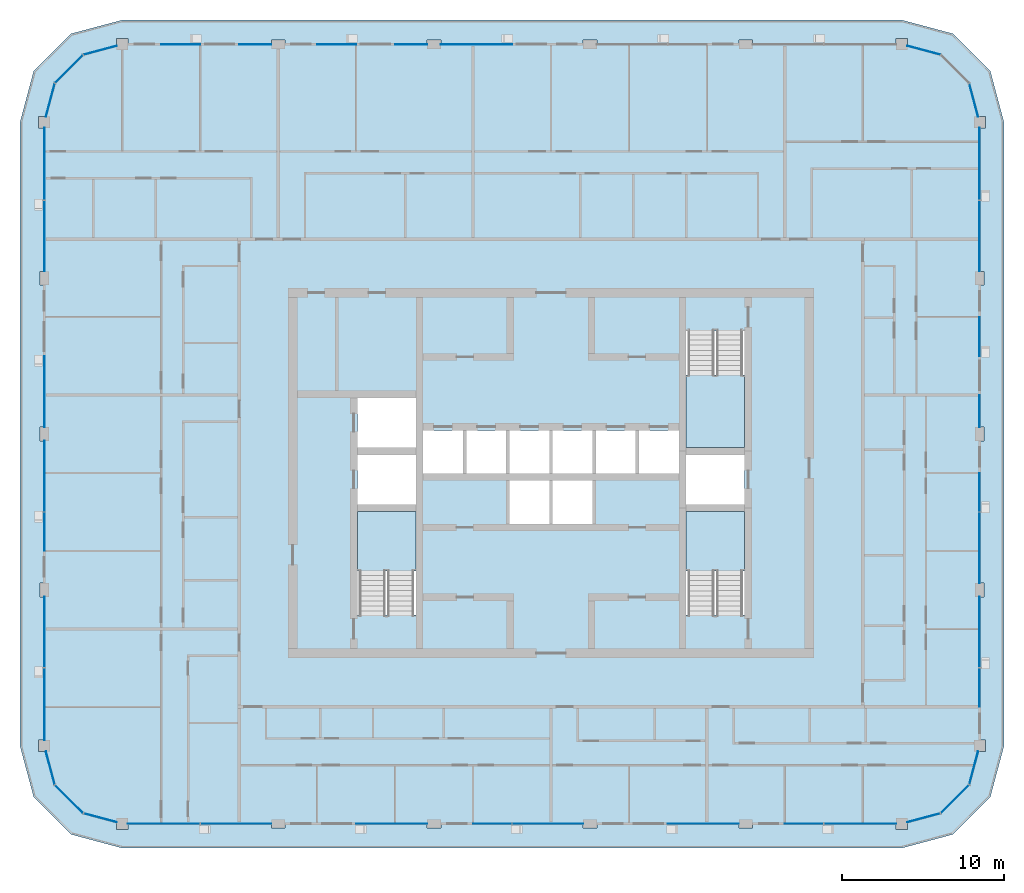
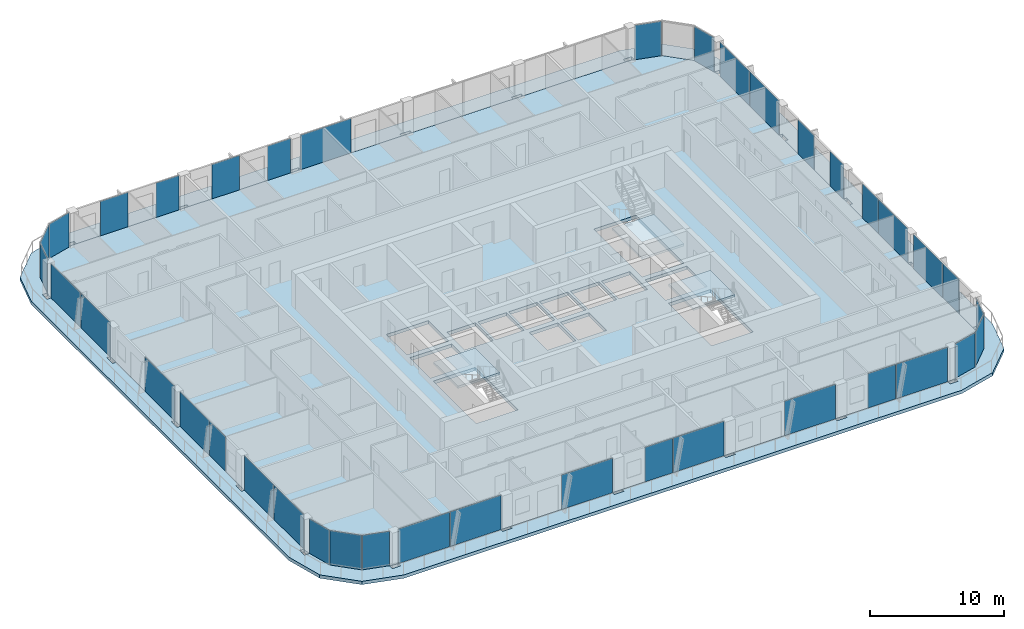
# One storey, part 7 of 21: 39 plates, 5 slabs, 23 elements without a shape of their own.
"""IFC4 building model written with IfcOpenShell, lengths in metres."""

from ifc_helpers import new_model, si_unit, direction, frame, origin, origin_2d, place, context, subcontext, project, spatial, polyline, rectangle, outline, extrude, material, layer, layer_set, type_object, element, aggregate, save


model = new_model("IFC4")

# Units and contexts
model_context = context("Model", 3, precision=1e-05, world=origin(), true_north=direction((0.0, 1.0)))
body_context = subcontext(model_context, "Body", "Model", "MODEL_VIEW")
ifc_project = project(units=[si_unit("LENGTHUNIT", "METRE"), si_unit("AREAUNIT", "SQUARE_METRE"), si_unit("VOLUMEUNIT", "CUBIC_METRE"), si_unit("PLANEANGLEUNIT", "RADIAN"), si_unit("MASSUNIT", "GRAM", prefix="KILO")], contexts=[model_context])

# Site, building, storey
site_placement = place(None, origin())
site = spatial("IfcSite", under=ifc_project, at=site_placement, CompositionType="ELEMENT")
building_placement = place(site_placement, origin())
building = spatial("IfcBuilding", under=site, at=building_placement, Name="Madar Terraces", CompositionType="ELEMENT")
storey_placement = place(building_placement, frame((0.0, 0.0, 242.199951171875)))
storey = spatial("IfcBuildingStorey", under=building, at=storey_placement, Name="L63", CompositionType="ELEMENT", Elevation=242.199951171875)

# Slabs
ifc_material_1 = material(Name="Concrete C50/60", Category="concrete")
ifc_layer_1 = layer(ifc_material_1, 0.300048828125)
ifc_layer_set_1 = layer_set([ifc_layer_1], Name="Balcony band 300")
slab_type_1 = type_object("IfcSlabType", Name="Balcony band 300", PredefinedType="FLOOR", material=ifc_layer_set_1)
slab_1_placement = place(storey_placement, frame((0.0, 0.0, -0.300048828125)))
element("IfcSlab", 1, at=slab_1_placement, inside=storey, type_object=slab_type_1, Name="Balcony band", PredefinedType="FLOOR", context=body_context, shape_type="SweptSolid", body=[
    extrude(outline(polyline([(4.800048828125, 3.300048828125), (1.64990234375, 4.14404296875), (-0.656005859375, 6.449951171875), (-1.5, 9.60009765625), (-1.5, 48.0), (-0.656005859375, 51.14990234375), (1.64990234375, 53.4560546875), (4.800048828125, 54.300048828125), (52.800048828125, 54.300048828125), (55.949951171875, 53.4560546875), (58.256103515625, 51.14990234375), (59.10009765625, 48.0), (59.10009765625, 9.60009765625), (58.256103515625, 6.449951171875), (55.949951171875, 4.14404296875), (52.800048828125, 3.300048828125), (4.800048828125, 3.300048828125)]), holes=[polyline([(5.14990234375, 4.449951171875), (5.14990234375, 4.800048828125), (13.97509765625, 4.800048828125), (13.97509765625, 4.52490234375), (14.824951171875, 4.52490234375), (14.824951171875, 4.800048828125), (23.574951171875, 4.800048828125), (23.574951171875, 4.52490234375), (24.425048828125, 4.52490234375), (24.425048828125, 4.800048828125), (33.175048828125, 4.800048828125), (33.175048828125, 4.52490234375), (34.02490234375, 4.52490234375), (34.02490234375, 4.800048828125), (42.77490234375, 4.800048828125), (42.77490234375, 4.52490234375), (43.625, 4.52490234375), (43.625, 4.800048828125), (52.449951171875, 4.800048828125), (52.449951171875, 4.449951171875), (53.14990234375, 4.449951171875), (53.14990234375, 4.893798828125), (55.199951171875, 5.443115234375), (56.956787109375, 7.199951171875), (57.506103515625, 9.25), (57.949951171875, 9.25), (57.949951171875, 9.949951171875), (57.60009765625, 9.949951171875), (57.60009765625, 18.77490234375), (57.875, 18.77490234375), (57.875, 19.625), (57.60009765625, 19.625), (57.60009765625, 28.375), (57.875, 28.375), (57.875, 29.22509765625), (57.60009765625, 29.22509765625), (57.60009765625, 37.97509765625), (57.875, 37.97509765625), (57.875, 38.824951171875), (57.60009765625, 38.824951171875), (57.60009765625, 47.64990234375), (57.949951171875, 47.64990234375), (57.949951171875, 48.35009765625), (57.506103515625, 48.35009765625), (56.956787109375, 50.39990234375), (55.199951171875, 52.156982421875), (53.14990234375, 52.706298828125), (53.14990234375, 53.14990234375), (52.449951171875, 53.14990234375), (52.449951171875, 52.800048828125), (43.625, 52.800048828125), (43.625, 53.074951171875), (42.77490234375, 53.074951171875), (42.77490234375, 52.800048828125), (34.02490234375, 52.800048828125), (34.02490234375, 53.074951171875), (33.175048828125, 53.074951171875), (33.175048828125, 52.800048828125), (24.425048828125, 52.800048828125), (24.425048828125, 53.074951171875), (23.574951171875, 53.074951171875), (23.574951171875, 52.800048828125), (14.824951171875, 52.800048828125), (14.824951171875, 53.074951171875), (13.97509765625, 53.074951171875), (13.97509765625, 52.800048828125), (5.14990234375, 52.800048828125), (5.14990234375, 53.14990234375), (4.449951171875, 53.14990234375), (4.449951171875, 52.706298828125), (2.39990234375, 52.156982421875), (0.64306640625, 50.39990234375), (0.09375, 48.35009765625), (-0.35009765625, 48.35009765625), (-0.35009765625, 47.64990234375), (0.0, 47.64990234375), (0.0, 38.824951171875), (-0.27490234375, 38.824951171875), (-0.27490234375, 37.97509765625), (0.0, 37.97509765625), (0.0, 29.22509765625), (-0.27490234375, 29.22509765625), (-0.27490234375, 28.375), (0.0, 28.375), (0.0, 19.625), (-0.27490234375, 19.625), (-0.27490234375, 18.77490234375), (0.0, 18.77490234375), (0.0, 9.949951171875), (-0.35009765625, 9.949951171875), (-0.35009765625, 9.25), (0.09375, 9.25), (0.64306640625, 7.199951171875), (2.39990234375, 5.443115234375), (4.449951171875, 4.893798828125), (4.449951171875, 4.449951171875), (5.14990234375, 4.449951171875)])]), origin(), (0.0, 0.0, 1.0), 0.300048828125),
])
ifc_material_2 = material(Name="Concrete C50/60", Category="concrete")
ifc_layer_2 = layer(ifc_material_2, 0.300048828125)
ifc_layer_set_2 = layer_set([ifc_layer_2], Name="FS2 PT flat slab 300")
slab_type_2 = type_object("IfcSlabType", Name="FS2 PT flat slab 300", PredefinedType="FLOOR", material=ifc_layer_set_2)
slab_2_placement = place(storey_placement, frame((0.0, 0.0, -0.300048828125)))
element("IfcSlab", 2, at=slab_2_placement, inside=storey, type_object=slab_type_2, Name="Floor slab L63 (1)", PredefinedType="FLOOR", context=body_context, shape_type="SweptSolid", body=[
    extrude(outline(polyline([(52.800048828125, 4.800048828125), (55.199951171875, 5.443115234375), (56.95703125, 7.199951171875), (57.60009765625, 9.60009765625), (57.60009765625, 48.0), (56.95703125, 50.39990234375), (55.199951171875, 52.156982421875), (52.800048828125, 52.800048828125), (4.800048828125, 52.800048828125), (2.39990234375, 52.156982421875), (0.64306640625, 50.39990234375), (0.0, 48.0), (0.0, 9.60009765625), (0.64306640625, 7.199951171875), (2.39990234375, 5.443115234375), (4.800048828125, 4.800048828125), (52.800048828125, 4.800048828125)]), holes=[polyline([(22.875, 17.64990234375), (19.27490234375, 17.64990234375), (19.27490234375, 24.02490234375), (22.875, 24.02490234375), (22.875, 17.64990234375)]), polyline([(28.6416015625, 23.27490234375), (28.6416015625, 25.925048828125), (31.10009765625, 25.925048828125), (31.10009765625, 23.27490234375), (28.6416015625, 23.27490234375)]), polyline([(19.27490234375, 24.47509765625), (19.27490234375, 27.52490234375), (22.875, 27.52490234375), (22.875, 24.47509765625), (19.27490234375, 24.47509765625)]), polyline([(23.324951171875, 26.375), (23.324951171875, 29.02490234375), (25.783447265625, 29.02490234375), (25.783447265625, 26.375), (23.324951171875, 26.375)]), polyline([(25.9833984375, 26.375), (25.9833984375, 29.02490234375), (28.441650390625, 29.02490234375), (28.441650390625, 26.375), (25.9833984375, 26.375)]), polyline([(28.6416015625, 26.375), (28.6416015625, 29.02490234375), (31.10009765625, 29.02490234375), (31.10009765625, 26.375), (28.6416015625, 26.375)]), polyline([(19.27490234375, 27.97509765625), (19.27490234375, 31.02490234375), (22.875, 31.02490234375), (22.875, 27.97509765625), (19.27490234375, 27.97509765625)]), polyline([(43.125, 17.64990234375), (39.52490234375, 17.64990234375), (39.52490234375, 24.02490234375), (43.125, 24.02490234375), (43.125, 17.64990234375)]), polyline([(31.300048828125, 23.27490234375), (31.300048828125, 25.925048828125), (33.75830078125, 25.925048828125), (33.75830078125, 23.27490234375), (31.300048828125, 23.27490234375)]), polyline([(39.52490234375, 24.47509765625), (39.52490234375, 27.52490234375), (43.125, 27.52490234375), (43.125, 24.47509765625), (39.52490234375, 24.47509765625)]), polyline([(31.300048828125, 26.375), (31.300048828125, 29.02490234375), (33.75830078125, 29.02490234375), (33.75830078125, 26.375), (31.300048828125, 26.375)]), polyline([(33.958251953125, 26.375), (33.958251953125, 29.02490234375), (36.416748046875, 29.02490234375), (36.416748046875, 26.375), (33.958251953125, 26.375)]), polyline([(36.61669921875, 26.375), (36.61669921875, 29.02490234375), (39.074951171875, 29.02490234375), (39.074951171875, 26.375), (36.61669921875, 26.375)]), polyline([(39.52490234375, 27.97509765625), (39.52490234375, 35.14990234375), (43.125, 35.14990234375), (43.125, 27.97509765625), (39.52490234375, 27.97509765625)])]), origin(), (0.0, 0.0, 1.0), 0.300048828125),
])

# Curtain wall, plates
ifc_material_3 = material(Name="Glass, ceramic frit dark grey, with black aluminium frame", Category="aluminium")
ifc_layer_3 = layer(ifc_material_3, 0.199951171875)
ifc_layer_set_3 = layer_set([ifc_layer_3], Name="Facade curtain wall, fritted glass")
curtain_wall_type = type_object("IfcCurtainWallType", Name="Facade curtain wall, fritted glass", PredefinedType="NOTDEFINED", material=ifc_layer_set_3)
curtain_wall_1_placement = place(storey_placement, origin())
curtain_wall_1 = element("IfcCurtainWall", 3, at=curtain_wall_1_placement, inside=storey, type_object=curtain_wall_type, Name="Outer skin curtain wall south bay 1", PredefinedType="NOTDEFINED")
ifc_material_4 = material(Name="Glass, ceramic frit dark grey", Category="glass")
ifc_layer_4 = layer(ifc_material_4, 0.028076171875)
ifc_layer_set_4 = layer_set([ifc_layer_4], Name="Facade glass panel 28")
plate_type = type_object("IfcPlateType", Name="Facade glass panel 28", PredefinedType="CURTAIN_PANEL", material=ifc_layer_set_4)
plate_1_placement = place(storey_placement, frame((7.360107421875, 4.800048828125, 0.0), z_axis=(0.0, 0.0, 1.0), x_axis=(1.0, 0.0, 0.0)))
plate_1 = element("IfcPlate", 4, at=plate_1_placement, type_object=plate_type, Name="Panel 1", PredefinedType="CURTAIN_PANEL", context=body_context, shape_type="SweptSolid", body=[
    extrude(rectangle(XDim=4.419921875, YDim=0.028076171875, at=origin_2d()), origin(), (0.0, 0.0, 1.0), 3.139892578125),
])
plate_2_placement = place(storey_placement, frame((11.802490234375, 4.800048828125, 0.0), z_axis=(0.0, 0.0, 1.0), x_axis=(1.0, 0.0, 0.0)))
plate_2 = element("IfcPlate", 5, at=plate_2_placement, type_object=plate_type, Name="Panel 2", PredefinedType="CURTAIN_PANEL", context=body_context, shape_type="SweptSolid", body=[
    extrude(rectangle(XDim=4.344970703125, YDim=0.028076171875, at=origin_2d()), origin(), (0.0, 0.0, 1.0), 3.139892578125),
])
aggregate(curtain_wall_1, [plate_1, plate_2])

# Curtain wall, plate
curtain_wall_2_placement = place(storey_placement, origin())
curtain_wall_2 = element("IfcCurtainWall", 6, at=curtain_wall_2_placement, inside=storey, type_object=curtain_wall_type, Name="Outer skin curtain wall south bay 2", PredefinedType="NOTDEFINED")
plate_3_placement = place(storey_placement, frame((21.387451171875, 4.800048828125, 0.0), z_axis=(0.0, 0.0, 1.0), x_axis=(1.0, 0.0, 0.0)))
plate_3 = element("IfcPlate", 7, at=plate_3_placement, type_object=plate_type, Name="Panel 1", PredefinedType="CURTAIN_PANEL", context=body_context, shape_type="SweptSolid", body=[
    extrude(rectangle(XDim=4.375, YDim=0.028076171875, at=origin_2d()), origin(), (0.0, 0.0, 1.0), 3.139892578125),
])
aggregate(curtain_wall_2, [plate_3])

# Curtain wall, plates
curtain_wall_3_placement = place(storey_placement, origin())
curtain_wall_3 = element("IfcCurtainWall", 8, at=curtain_wall_3_placement, inside=storey, type_object=curtain_wall_type, Name="Outer skin curtain wall south bay 3", PredefinedType="NOTDEFINED")
plate_4_placement = place(storey_placement, frame((27.5849609375, 4.800048828125, 0.0), z_axis=(0.0, 0.0, 1.0), x_axis=(1.0, 0.0, 0.0)))
plate_4 = element("IfcPlate", 9, at=plate_4_placement, type_object=plate_type, Name="Panel 1", PredefinedType="CURTAIN_PANEL", context=body_context, shape_type="SweptSolid", body=[
    extrude(rectangle(XDim=2.3701171875, YDim=0.028076171875, at=origin_2d()), origin(), (0.0, 0.0, 1.0), 3.139892578125),
])
plate_5_placement = place(storey_placement, frame((31.00244140625, 4.800048828125, 0.0), z_axis=(0.0, 0.0, 1.0), x_axis=(1.0, 0.0, 0.0)))
plate_5 = element("IfcPlate", 10, at=plate_5_placement, type_object=plate_type, Name="Panel 2", PredefinedType="CURTAIN_PANEL", context=body_context, shape_type="SweptSolid", body=[
    extrude(rectangle(XDim=4.344970703125, YDim=0.028076171875, at=origin_2d()), origin(), (0.0, 0.0, 1.0), 3.139892578125),
])
aggregate(curtain_wall_3, [plate_4, plate_5])

# Curtain wall, plate
curtain_wall_4_placement = place(storey_placement, origin())
curtain_wall_4 = element("IfcCurtainWall", 11, at=curtain_wall_4_placement, inside=storey, type_object=curtain_wall_type, Name="Outer skin curtain wall south bay 4", PredefinedType="NOTDEFINED")
plate_6_placement = place(storey_placement, frame((40.58740234375, 4.800048828125, 0.0), z_axis=(0.0, 0.0, 1.0), x_axis=(1.0, 0.0, 0.0)))
plate_6 = element("IfcPlate", 12, at=plate_6_placement, type_object=plate_type, Name="Panel 1", PredefinedType="CURTAIN_PANEL", context=body_context, shape_type="SweptSolid", body=[
    extrude(rectangle(XDim=4.375, YDim=0.028076171875, at=origin_2d()), origin(), (0.0, 0.0, 1.0), 3.139892578125),
])
aggregate(curtain_wall_4, [plate_6])

# Curtain wall, plates
curtain_wall_5_placement = place(storey_placement, origin())
curtain_wall_5 = element("IfcCurtainWall", 13, at=curtain_wall_5_placement, inside=storey, type_object=curtain_wall_type, Name="Outer skin curtain wall south bay 5", PredefinedType="NOTDEFINED")
plate_7_placement = place(storey_placement, frame((46.784912109375, 4.800048828125, 0.0), z_axis=(0.0, 0.0, 1.0), x_axis=(1.0, 0.0, 0.0)))
plate_7 = element("IfcPlate", 14, at=plate_7_placement, type_object=plate_type, Name="Panel 1", PredefinedType="CURTAIN_PANEL", context=body_context, shape_type="SweptSolid", body=[
    extrude(rectangle(XDim=2.3701171875, YDim=0.028076171875, at=origin_2d()), origin(), (0.0, 0.0, 1.0), 3.139892578125),
])
plate_8_placement = place(storey_placement, frame((50.239990234375, 4.800048828125, 0.0), z_axis=(0.0, 0.0, 1.0), x_axis=(1.0, 0.0, 0.0)))
plate_8 = element("IfcPlate", 15, at=plate_8_placement, type_object=plate_type, Name="Panel 2", PredefinedType="CURTAIN_PANEL", context=body_context, shape_type="SweptSolid", body=[
    extrude(rectangle(XDim=4.419921875, YDim=0.028076171875, at=origin_2d()), origin(), (0.0, 0.0, 1.0), 3.139892578125),
])
aggregate(curtain_wall_5, [plate_7, plate_8])

curtain_wall_6_placement = place(storey_placement, origin())
curtain_wall_6 = element("IfcCurtainWall", 16, at=curtain_wall_6_placement, inside=storey, type_object=curtain_wall_type, Name="Outer skin curtain wall east bay 1", PredefinedType="NOTDEFINED")
plate_9_placement = place(storey_placement, frame((57.60009765625, 13.18505859375, 0.0), z_axis=(0.0, 0.0, 1.0), x_axis=(0.0, 1.0, 0.0)))
plate_9 = element("IfcPlate", 17, at=plate_9_placement, type_object=plate_type, Name="Panel 1", PredefinedType="CURTAIN_PANEL", context=body_context, shape_type="SweptSolid", body=[
    extrude(rectangle(XDim=2.3701171875, YDim=0.028076171875, at=origin_2d()), origin(), (0.0, 0.0, 1.0), 3.139892578125),
])
plate_10_placement = place(storey_placement, frame((57.60009765625, 16.6025390625, 0.0), z_axis=(0.0, 0.0, 1.0), x_axis=(0.0, 1.0, 0.0)))
plate_10 = element("IfcPlate", 18, at=plate_10_placement, type_object=plate_type, Name="Panel 2", PredefinedType="CURTAIN_PANEL", context=body_context, shape_type="SweptSolid", body=[
    extrude(rectangle(XDim=4.344970703125, YDim=0.028076171875, at=origin_2d()), origin(), (0.0, 0.0, 1.0), 3.139892578125),
])
aggregate(curtain_wall_6, [plate_9, plate_10])

curtain_wall_7_placement = place(storey_placement, origin())
curtain_wall_7 = element("IfcCurtainWall", 19, at=curtain_wall_7_placement, inside=storey, type_object=curtain_wall_type, Name="Outer skin curtain wall east bay 2", PredefinedType="NOTDEFINED")
plate_11_placement = place(storey_placement, frame((57.60009765625, 21.797607421875, 0.0), z_axis=(0.0, 0.0, 1.0), x_axis=(0.0, 1.0, 0.0)))
plate_11 = element("IfcPlate", 20, at=plate_11_placement, type_object=plate_type, Name="Panel 1", PredefinedType="CURTAIN_PANEL", context=body_context, shape_type="SweptSolid", body=[
    extrude(rectangle(XDim=4.344970703125, YDim=0.028076171875, at=origin_2d()), origin(), (0.0, 0.0, 1.0), 3.139892578125),
])
plate_12_placement = place(storey_placement, frame((57.60009765625, 25.215087890625, 0.0), z_axis=(0.0, 0.0, 1.0), x_axis=(0.0, 1.0, 0.0)))
plate_12 = element("IfcPlate", 21, at=plate_12_placement, type_object=plate_type, Name="Panel 2", PredefinedType="CURTAIN_PANEL", context=body_context, shape_type="SweptSolid", body=[
    extrude(rectangle(XDim=2.3701171875, YDim=0.028076171875, at=origin_2d()), origin(), (0.0, 0.0, 1.0), 3.139892578125),
])
aggregate(curtain_wall_7, [plate_11, plate_12])

curtain_wall_8_placement = place(storey_placement, origin())
curtain_wall_8 = element("IfcCurtainWall", 22, at=curtain_wall_8_placement, inside=storey, type_object=curtain_wall_type, Name="Outer skin curtain wall east bay 3", PredefinedType="NOTDEFINED")
plate_13_placement = place(storey_placement, frame((57.60009765625, 30.21240234375, 0.0), z_axis=(0.0, 0.0, 1.0), x_axis=(0.0, 1.0, 0.0)))
plate_13 = element("IfcPlate", 23, at=plate_13_placement, type_object=plate_type, Name="Panel 1", PredefinedType="CURTAIN_PANEL", context=body_context, shape_type="SweptSolid", body=[
    extrude(rectangle(XDim=1.97509765625, YDim=0.028076171875, at=origin_2d()), origin(), (0.0, 0.0, 1.0), 3.139892578125),
])
plate_14_placement = place(storey_placement, frame((57.60009765625, 34.800048828125, 0.0), z_axis=(0.0, 0.0, 1.0), x_axis=(0.0, 1.0, 0.0)))
plate_14 = element("IfcPlate", 24, at=plate_14_placement, type_object=plate_type, Name="Panel 2", PredefinedType="CURTAIN_PANEL", context=body_context, shape_type="SweptSolid", body=[
    extrude(rectangle(XDim=2.39990234375, YDim=0.028076171875, at=origin_2d()), origin(), (0.0, 0.0, 1.0), 3.139892578125),
])
aggregate(curtain_wall_8, [plate_13, plate_14])

curtain_wall_9_placement = place(storey_placement, origin())
curtain_wall_9 = element("IfcCurtainWall", 25, at=curtain_wall_9_placement, inside=storey, type_object=curtain_wall_type, Name="Outer skin curtain wall east bay 4", PredefinedType="NOTDEFINED")
plate_15_placement = place(storey_placement, frame((57.60009765625, 40.99755859375, 0.0), z_axis=(0.0, 0.0, 1.0), x_axis=(0.0, 1.0, 0.0)))
plate_15 = element("IfcPlate", 26, at=plate_15_placement, type_object=plate_type, Name="Panel 1", PredefinedType="CURTAIN_PANEL", context=body_context, shape_type="SweptSolid", body=[
    extrude(rectangle(XDim=4.344970703125, YDim=0.028076171875, at=origin_2d()), origin(), (0.0, 0.0, 1.0), 3.139892578125),
])
plate_16_placement = place(storey_placement, frame((57.60009765625, 45.43994140625, 0.0), z_axis=(0.0, 0.0, 1.0), x_axis=(0.0, 1.0, 0.0)))
plate_16 = element("IfcPlate", 27, at=plate_16_placement, type_object=plate_type, Name="Panel 2", PredefinedType="CURTAIN_PANEL", context=body_context, shape_type="SweptSolid", body=[
    extrude(rectangle(XDim=4.419921875, YDim=0.028076171875, at=origin_2d()), origin(), (0.0, 0.0, 1.0), 3.139892578125),
])
aggregate(curtain_wall_9, [plate_15, plate_16])

# Curtain wall, plate
curtain_wall_10_placement = place(storey_placement, origin())
curtain_wall_10 = element("IfcCurtainWall", 28, at=curtain_wall_10_placement, inside=storey, type_object=curtain_wall_type, Name="Outer skin curtain wall north bay 3", PredefinedType="NOTDEFINED")
plate_17_placement = place(storey_placement, frame((26.612548828125, 52.800048828125, 0.0), z_axis=(0.0, 0.0, 1.0), x_axis=(-1.0, 0.0, 0.0)))
plate_17 = element("IfcPlate", 29, at=plate_17_placement, type_object=plate_type, Name="Panel 1", PredefinedType="CURTAIN_PANEL", context=body_context, shape_type="SweptSolid", body=[
    extrude(rectangle(XDim=4.375, YDim=0.028076171875, at=origin_2d()), origin(), (0.0, 0.0, 1.0), 3.139892578125),
])
aggregate(curtain_wall_10, [plate_17])

# Curtain wall, plates
curtain_wall_11_placement = place(storey_placement, origin())
curtain_wall_11 = element("IfcCurtainWall", 30, at=curtain_wall_11_placement, inside=storey, type_object=curtain_wall_type, Name="Outer skin curtain wall north bay 4", PredefinedType="NOTDEFINED")
plate_18_placement = place(storey_placement, frame((22.58740234375, 52.800048828125, 0.0), z_axis=(0.0, 0.0, 1.0), x_axis=(-1.0, 0.0, 0.0)))
plate_18 = element("IfcPlate", 31, at=plate_18_placement, type_object=plate_type, Name="Panel 1", PredefinedType="CURTAIN_PANEL", context=body_context, shape_type="SweptSolid", body=[
    extrude(rectangle(XDim=1.97509765625, YDim=0.028076171875, at=origin_2d()), origin(), (0.0, 0.0, 1.0), 3.139892578125),
])
plate_19_placement = place(storey_placement, frame((18.0, 52.800048828125, 0.0), z_axis=(0.0, 0.0, 1.0), x_axis=(-1.0, 0.0, 0.0)))
plate_19 = element("IfcPlate", 32, at=plate_19_placement, type_object=plate_type, Name="Panel 2", PredefinedType="CURTAIN_PANEL", context=body_context, shape_type="SweptSolid", body=[
    extrude(rectangle(XDim=2.39990234375, YDim=0.028076171875, at=origin_2d()), origin(), (0.0, 0.0, 1.0), 3.139892578125),
])
aggregate(curtain_wall_11, [plate_18, plate_19])

curtain_wall_12_placement = place(storey_placement, origin())
curtain_wall_12 = element("IfcCurtainWall", 33, at=curtain_wall_12_placement, inside=storey, type_object=curtain_wall_type, Name="Outer skin curtain wall north bay 5", PredefinedType="NOTDEFINED")
plate_20_placement = place(storey_placement, frame((12.987548828125, 52.800048828125, 0.0), z_axis=(0.0, 0.0, 1.0), x_axis=(-1.0, 0.0, 0.0)))
plate_20 = element("IfcPlate", 34, at=plate_20_placement, type_object=plate_type, Name="Panel 1", PredefinedType="CURTAIN_PANEL", context=body_context, shape_type="SweptSolid", body=[
    extrude(rectangle(XDim=1.97509765625, YDim=0.028076171875, at=origin_2d()), origin(), (0.0, 0.0, 1.0), 3.139892578125),
])
plate_21_placement = place(storey_placement, frame((8.39990234375, 52.800048828125, 0.0), z_axis=(0.0, 0.0, 1.0), x_axis=(-1.0, 0.0, 0.0)))
plate_21 = element("IfcPlate", 35, at=plate_21_placement, type_object=plate_type, Name="Panel 2", PredefinedType="CURTAIN_PANEL", context=body_context, shape_type="SweptSolid", body=[
    extrude(rectangle(XDim=2.39990234375, YDim=0.028076171875, at=origin_2d()), origin(), (0.0, 0.0, 1.0), 3.139892578125),
])
aggregate(curtain_wall_12, [plate_20, plate_21])

curtain_wall_13_placement = place(storey_placement, origin())
curtain_wall_13 = element("IfcCurtainWall", 36, at=curtain_wall_13_placement, inside=storey, type_object=curtain_wall_type, Name="Outer skin curtain wall west bay 1", PredefinedType="NOTDEFINED")
plate_22_placement = place(storey_placement, frame((0.0, 45.43994140625, 0.0), z_axis=(0.0, 0.0, 1.0), x_axis=(0.0, -1.0, 0.0)))
plate_22 = element("IfcPlate", 37, at=plate_22_placement, type_object=plate_type, Name="Panel 1", PredefinedType="CURTAIN_PANEL", context=body_context, shape_type="SweptSolid", body=[
    extrude(rectangle(XDim=4.419921875, YDim=0.028076171875, at=origin_2d()), origin(), (0.0, 0.0, 1.0), 3.139892578125),
])
plate_23_placement = place(storey_placement, frame((0.0, 40.99755859375, 0.0), z_axis=(0.0, 0.0, 1.0), x_axis=(0.0, -1.0, 0.0)))
plate_23 = element("IfcPlate", 38, at=plate_23_placement, type_object=plate_type, Name="Panel 2", PredefinedType="CURTAIN_PANEL", context=body_context, shape_type="SweptSolid", body=[
    extrude(rectangle(XDim=4.344970703125, YDim=0.028076171875, at=origin_2d()), origin(), (0.0, 0.0, 1.0), 3.139892578125),
])
aggregate(curtain_wall_13, [plate_22, plate_23])

# Curtain wall, plate
curtain_wall_14_placement = place(storey_placement, origin())
curtain_wall_14 = element("IfcCurtainWall", 39, at=curtain_wall_14_placement, inside=storey, type_object=curtain_wall_type, Name="Outer skin curtain wall west bay 2", PredefinedType="NOTDEFINED")
plate_24_placement = place(storey_placement, frame((0.0, 31.41259765625, 0.0), z_axis=(0.0, 0.0, 1.0), x_axis=(0.0, -1.0, 0.0)))
plate_24 = element("IfcPlate", 40, at=plate_24_placement, type_object=plate_type, Name="Panel 1", PredefinedType="CURTAIN_PANEL", context=body_context, shape_type="SweptSolid", body=[
    extrude(rectangle(XDim=4.375, YDim=0.028076171875, at=origin_2d()), origin(), (0.0, 0.0, 1.0), 3.139892578125),
])
aggregate(curtain_wall_14, [plate_24])

# Curtain wall, plates
curtain_wall_15_placement = place(storey_placement, origin())
curtain_wall_15 = element("IfcCurtainWall", 41, at=curtain_wall_15_placement, inside=storey, type_object=curtain_wall_type, Name="Outer skin curtain wall west bay 3", PredefinedType="NOTDEFINED")
plate_25_placement = place(storey_placement, frame((0.0, 26.202392578125, 0.0), z_axis=(0.0, 0.0, 1.0), x_axis=(0.0, -1.0, 0.0)))
plate_25 = element("IfcPlate", 42, at=plate_25_placement, type_object=plate_type, Name="Panel 1", PredefinedType="CURTAIN_PANEL", context=body_context, shape_type="SweptSolid", body=[
    extrude(rectangle(XDim=4.344970703125, YDim=0.028076171875, at=origin_2d()), origin(), (0.0, 0.0, 1.0), 3.139892578125),
])
plate_26_placement = place(storey_placement, frame((0.0, 22.784912109375, 0.0), z_axis=(0.0, 0.0, 1.0), x_axis=(0.0, -1.0, 0.0)))
plate_26 = element("IfcPlate", 43, at=plate_26_placement, type_object=plate_type, Name="Panel 2", PredefinedType="CURTAIN_PANEL", context=body_context, shape_type="SweptSolid", body=[
    extrude(rectangle(XDim=2.3701171875, YDim=0.028076171875, at=origin_2d()), origin(), (0.0, 0.0, 1.0), 3.139892578125),
])
aggregate(curtain_wall_15, [plate_25, plate_26])

curtain_wall_16_placement = place(storey_placement, origin())
curtain_wall_16 = element("IfcCurtainWall", 44, at=curtain_wall_16_placement, inside=storey, type_object=curtain_wall_type, Name="Outer skin curtain wall west bay 4", PredefinedType="NOTDEFINED")
plate_27_placement = place(storey_placement, frame((0.0, 16.6025390625, 0.0), z_axis=(0.0, 0.0, 1.0), x_axis=(0.0, -1.0, 0.0)))
plate_27 = element("IfcPlate", 45, at=plate_27_placement, type_object=plate_type, Name="Panel 1", PredefinedType="CURTAIN_PANEL", context=body_context, shape_type="SweptSolid", body=[
    extrude(rectangle(XDim=4.344970703125, YDim=0.028076171875, at=origin_2d()), origin(), (0.0, 0.0, 1.0), 3.139892578125),
])
plate_28_placement = place(storey_placement, frame((0.0, 12.159912109375, 0.0), z_axis=(0.0, 0.0, 1.0), x_axis=(0.0, -1.0, 0.0)))
plate_28 = element("IfcPlate", 46, at=plate_28_placement, type_object=plate_type, Name="Panel 2", PredefinedType="CURTAIN_PANEL", context=body_context, shape_type="SweptSolid", body=[
    extrude(rectangle(XDim=4.419921875, YDim=0.028076171875, at=origin_2d()), origin(), (0.0, 0.0, 1.0), 3.139892578125),
])
aggregate(curtain_wall_16, [plate_27, plate_28])

curtain_wall_17_placement = place(storey_placement, origin())
curtain_wall_17 = element("IfcCurtainWall", 47, at=curtain_wall_17_placement, inside=storey, type_object=curtain_wall_type, Name="Outer skin curtain wall south-east corner", PredefinedType="NOTDEFINED")
plate_29_placement = place(storey_placement, frame((54.160400390625, 5.16455078125, 0.0), z_axis=(0.0, 0.0, 1.0), x_axis=(0.965925832509, 0.258819021888, 0.0)))
plate_29 = element("IfcPlate", 48, at=plate_29_placement, type_object=plate_type, Name="Panel 1", PredefinedType="CURTAIN_PANEL", context=body_context, shape_type="SweptSolid", body=[
    extrude(rectangle(XDim=2.09228515625, YDim=0.028076171875, at=origin_2d()), origin(), (0.0, 0.0, 1.0), 3.139892578125),
])
plate_30_placement = place(storey_placement, frame((56.078369140625, 6.321533203125, 0.0), z_axis=(0.0, 0.0, 1.0), x_axis=(0.707106781187, 0.707106781187, 0.0)))
plate_30 = element("IfcPlate", 49, at=plate_30_placement, type_object=plate_type, Name="Panel 2", PredefinedType="CURTAIN_PANEL", context=body_context, shape_type="SweptSolid", body=[
    extrude(rectangle(XDim=2.424560546875, YDim=0.028076171875, at=origin_2d()), origin(), (0.0, 0.0, 1.0), 3.139892578125),
])
plate_31_placement = place(storey_placement, frame((57.2353515625, 8.239501953125, 0.0), z_axis=(0.0, 0.0, 1.0), x_axis=(0.258819021888, 0.965925832509, 0.0)))
plate_31 = element("IfcPlate", 50, at=plate_31_placement, type_object=plate_type, Name="Panel 3", PredefinedType="CURTAIN_PANEL", context=body_context, shape_type="SweptSolid", body=[
    extrude(rectangle(XDim=2.09228515625, YDim=0.028076171875, at=origin_2d()), origin(), (0.0, 0.0, 1.0), 3.139892578125),
])
aggregate(curtain_wall_17, [plate_29, plate_30, plate_31])

curtain_wall_18_placement = place(storey_placement, origin())
curtain_wall_18 = element("IfcCurtainWall", 51, at=curtain_wall_18_placement, inside=storey, type_object=curtain_wall_type, Name="Outer skin curtain wall north-east corner", PredefinedType="NOTDEFINED")
plate_32_placement = place(storey_placement, frame((57.2353515625, 49.360595703125, 0.0), z_axis=(0.0, 0.0, 1.0), x_axis=(-0.258819021888, 0.965925832509, 0.0)))
plate_32 = element("IfcPlate", 52, at=plate_32_placement, type_object=plate_type, Name="Panel 1", PredefinedType="CURTAIN_PANEL", context=body_context, shape_type="SweptSolid", body=[
    extrude(rectangle(XDim=2.09228515625, YDim=0.028076171875, at=origin_2d()), origin(), (0.0, 0.0, 1.0), 3.139892578125),
])
plate_33_placement = place(storey_placement, frame((54.160400390625, 52.435546875, 0.0), z_axis=(0.0, 0.0, 1.0), x_axis=(-0.965925832509, 0.258819021888, 0.0)))
plate_33 = element("IfcPlate", 53, at=plate_33_placement, type_object=plate_type, Name="Panel 3", PredefinedType="CURTAIN_PANEL", context=body_context, shape_type="SweptSolid", body=[
    extrude(rectangle(XDim=2.09228515625, YDim=0.028076171875, at=origin_2d()), origin(), (0.0, 0.0, 1.0), 3.139892578125),
])
aggregate(curtain_wall_18, [plate_32, plate_33])

curtain_wall_19_placement = place(storey_placement, origin())
curtain_wall_19 = element("IfcCurtainWall", 54, at=curtain_wall_19_placement, inside=storey, type_object=curtain_wall_type, Name="Outer skin curtain wall north-west corner", PredefinedType="NOTDEFINED")
plate_34_placement = place(storey_placement, frame((3.439453125, 52.435546875, 0.0), z_axis=(0.0, 0.0, 1.0), x_axis=(-0.965925832509, -0.258819021888, 0.0)))
plate_34 = element("IfcPlate", 55, at=plate_34_placement, type_object=plate_type, Name="Panel 1", PredefinedType="CURTAIN_PANEL", context=body_context, shape_type="SweptSolid", body=[
    extrude(rectangle(XDim=2.09228515625, YDim=0.028076171875, at=origin_2d()), origin(), (0.0, 0.0, 1.0), 3.139892578125),
])
plate_35_placement = place(storey_placement, frame((1.521484375, 51.278564453125, 0.0), z_axis=(0.0, 0.0, 1.0), x_axis=(-0.707106781187, -0.707106781187, 0.0)))
plate_35 = element("IfcPlate", 56, at=plate_35_placement, type_object=plate_type, Name="Panel 2", PredefinedType="CURTAIN_PANEL", context=body_context, shape_type="SweptSolid", body=[
    extrude(rectangle(XDim=2.424560546875, YDim=0.028076171875, at=origin_2d()), origin(), (0.0, 0.0, 1.0), 3.139892578125),
])
plate_36_placement = place(storey_placement, frame((0.364501953125, 49.360595703125, 0.0), z_axis=(0.0, 0.0, 1.0), x_axis=(-0.258819021888, -0.965925832509, 0.0)))
plate_36 = element("IfcPlate", 57, at=plate_36_placement, type_object=plate_type, Name="Panel 3", PredefinedType="CURTAIN_PANEL", context=body_context, shape_type="SweptSolid", body=[
    extrude(rectangle(XDim=2.09228515625, YDim=0.028076171875, at=origin_2d()), origin(), (0.0, 0.0, 1.0), 3.139892578125),
])
aggregate(curtain_wall_19, [plate_34, plate_35, plate_36])

curtain_wall_20_placement = place(storey_placement, origin())
curtain_wall_20 = element("IfcCurtainWall", 58, at=curtain_wall_20_placement, inside=storey, type_object=curtain_wall_type, Name="Outer skin curtain wall south-west corner", PredefinedType="NOTDEFINED")
plate_37_placement = place(storey_placement, frame((0.364501953125, 8.239501953125, 0.0), z_axis=(0.0, 0.0, 1.0), x_axis=(0.258819021888, -0.965925832509, 0.0)))
plate_37 = element("IfcPlate", 59, at=plate_37_placement, type_object=plate_type, Name="Panel 1", PredefinedType="CURTAIN_PANEL", context=body_context, shape_type="SweptSolid", body=[
    extrude(rectangle(XDim=2.09228515625, YDim=0.028076171875, at=origin_2d()), origin(), (0.0, 0.0, 1.0), 3.139892578125),
])
plate_38_placement = place(storey_placement, frame((1.521484375, 6.321533203125, 0.0), z_axis=(0.0, 0.0, 1.0), x_axis=(0.707106781187, -0.707106781187, 0.0)))
plate_38 = element("IfcPlate", 60, at=plate_38_placement, type_object=plate_type, Name="Panel 2", PredefinedType="CURTAIN_PANEL", context=body_context, shape_type="SweptSolid", body=[
    extrude(rectangle(XDim=2.424560546875, YDim=0.028076171875, at=origin_2d()), origin(), (0.0, 0.0, 1.0), 3.139892578125),
])
plate_39_placement = place(storey_placement, frame((3.439453125, 5.16455078125, 0.0), z_axis=(0.0, 0.0, 1.0), x_axis=(0.965925832509, -0.258819021888, 0.0)))
plate_39 = element("IfcPlate", 61, at=plate_39_placement, type_object=plate_type, Name="Panel 3", PredefinedType="CURTAIN_PANEL", context=body_context, shape_type="SweptSolid", body=[
    extrude(rectangle(XDim=2.09228515625, YDim=0.028076171875, at=origin_2d()), origin(), (0.0, 0.0, 1.0), 3.139892578125),
])
aggregate(curtain_wall_20, [plate_37, plate_38, plate_39])

# Stair, slab
ifc_material_5 = material(Name="Concrete C50/60", Category="concrete")
stair_type_1 = type_object("IfcStairType", Name="Stair ST1 protected exit", PredefinedType="HALF_TURN_STAIR", material=ifc_material_5)
stair_1_placement = place(storey_placement, origin())
stair_1 = element("IfcStair", 62, at=stair_1_placement, inside=storey, type_object=stair_type_1, Name="L63 Protected Exit Stair ST1", PredefinedType="HALF_TURN_STAIR")
ifc_material_6 = material(Name="Concrete C50/60", Category="concrete")
ifc_layer_5 = layer(ifc_material_6, 0.199951171875)
ifc_layer_set_5 = layer_set([ifc_layer_5], Name="Stair landing 200, top +1.75")
slab_type_3 = type_object("IfcSlabType", Name="Stair landing 200, top +1.75", PredefinedType="LANDING", material=ifc_layer_set_5)
slab_3_placement = place(storey_placement, frame((0.0, 0.0, 1.550048828125)))
slab_3 = element("IfcSlab", 63, at=slab_3_placement, type_object=slab_type_3, Name="ST1 landing 1", PredefinedType="LANDING", context=body_context, shape_type="SweptSolid", body=[
    extrude(outline(polyline([(19.27490234375, 20.360107421875), (22.875, 20.360107421875), (22.875, 24.02490234375), (19.27490234375, 24.02490234375), (19.27490234375, 20.360107421875)])), origin(), (0.0, 0.0, 1.0), 0.199951171875),
])
aggregate(stair_1, [slab_3])

ifc_material_7 = material(Name="Concrete C50/60", Category="concrete")
stair_type_2 = type_object("IfcStairType", Name="Stair ST2 protected exit", PredefinedType="HALF_TURN_STAIR", material=ifc_material_7)
stair_2_placement = place(storey_placement, origin())
stair_2 = element("IfcStair", 64, at=stair_2_placement, inside=storey, type_object=stair_type_2, Name="L63 Protected Exit Stair ST2", PredefinedType="HALF_TURN_STAIR")
slab_4_placement = place(storey_placement, frame((0.0, 0.0, 1.550048828125)))
slab_4 = element("IfcSlab", 65, at=slab_4_placement, type_object=slab_type_3, Name="ST2 landing 1", PredefinedType="LANDING", context=body_context, shape_type="SweptSolid", body=[
    extrude(outline(polyline([(39.52490234375, 27.97509765625), (43.125, 27.97509765625), (43.125, 32.43994140625), (39.52490234375, 32.43994140625), (39.52490234375, 27.97509765625)])), origin(), (0.0, 0.0, 1.0), 0.199951171875),
])
aggregate(stair_2, [slab_4])

ifc_material_8 = material(Name="Concrete C50/60", Category="concrete")
stair_type_3 = type_object("IfcStairType", Name="Stair ST3 protected exit", PredefinedType="HALF_TURN_STAIR", material=ifc_material_8)
stair_3_placement = place(storey_placement, origin())
stair_3 = element("IfcStair", 66, at=stair_3_placement, inside=storey, type_object=stair_type_3, Name="L63 Protected Exit Stair ST3", PredefinedType="HALF_TURN_STAIR")
slab_5_placement = place(storey_placement, frame((0.0, 0.0, 1.550048828125)))
slab_5 = element("IfcSlab", 67, at=slab_5_placement, type_object=slab_type_3, Name="ST3 landing 1", PredefinedType="LANDING", context=body_context, shape_type="SweptSolid", body=[
    extrude(outline(polyline([(39.52490234375, 20.360107421875), (43.125, 20.360107421875), (43.125, 24.02490234375), (39.52490234375, 24.02490234375), (39.52490234375, 20.360107421875)])), origin(), (0.0, 0.0, 1.0), 0.199951171875),
])
aggregate(stair_3, [slab_5])

save(model, "model.ifc")
